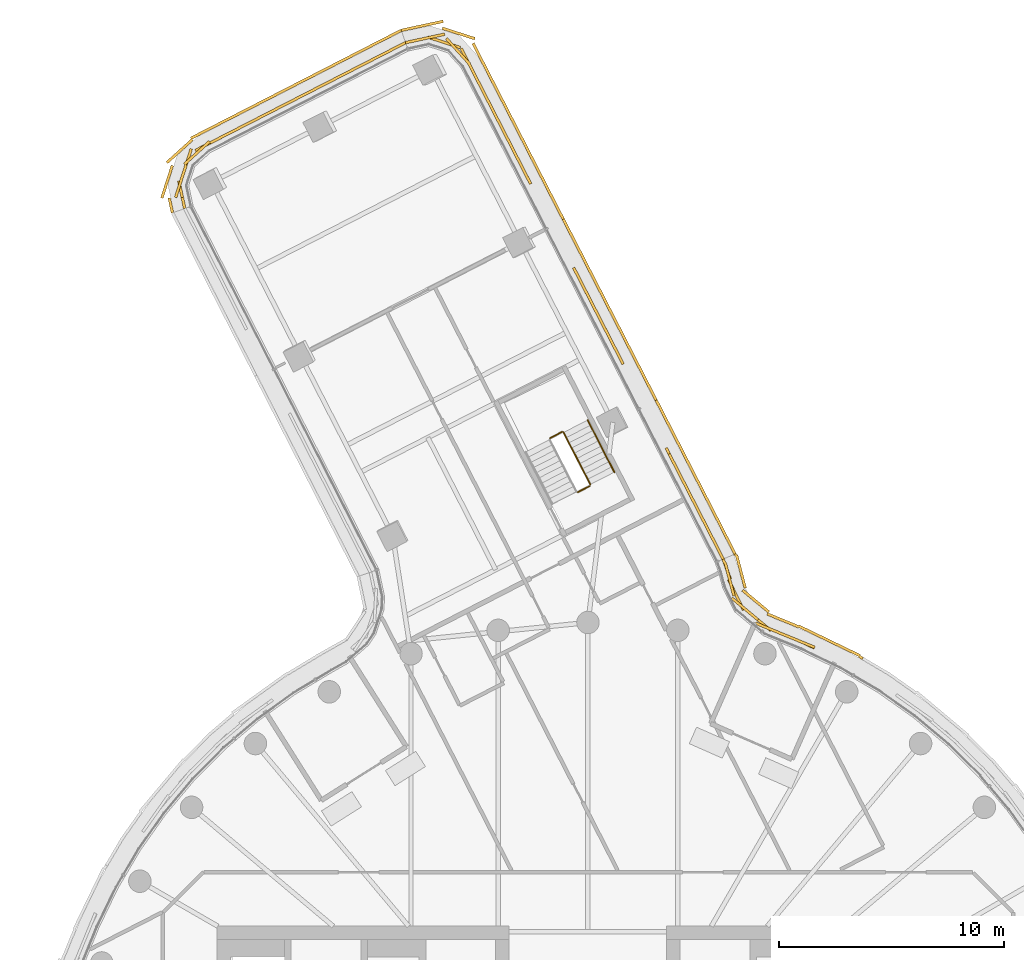
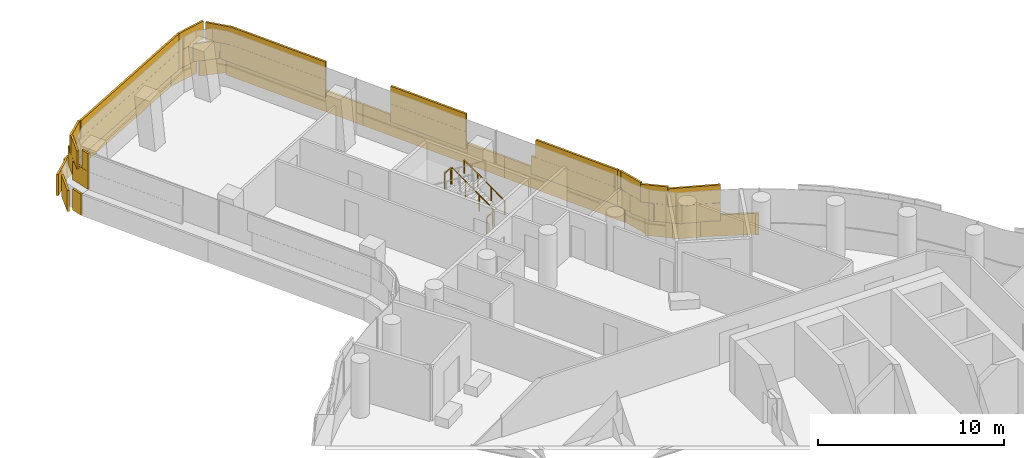
# One storey, part 35 of 37: 5 coverings, 4 railings.
"""IFC4 building model written with IfcOpenShell, lengths in metres."""

from ifc_helpers import new_model, si_unit, direction, frame, origin, origin_2d, place, context, subcontext, project, spatial, rectangle, circle, extrude, material, layer, layer_set, type_object, element, save


model = new_model("IFC4")

# Units and contexts
model_context = context("Model", 3, precision=1e-05, world=origin(), true_north=direction((0.0, 1.0)))
body_context = subcontext(model_context, "Body", "Model", "MODEL_VIEW")
ifc_project = project(units=[si_unit("LENGTHUNIT", "METRE"), si_unit("AREAUNIT", "SQUARE_METRE"), si_unit("VOLUMEUNIT", "CUBIC_METRE"), si_unit("PLANEANGLEUNIT", "RADIAN"), si_unit("MASSUNIT", "GRAM", prefix="KILO")], contexts=[model_context])

# Site, building, storey
site_placement = place(None, origin())
site = spatial("IfcSite", under=ifc_project, at=site_placement, CompositionType="ELEMENT")
building_placement = place(site_placement, origin())
building = spatial("IfcBuilding", under=site, at=building_placement, Name="Tamarind Cross Interchange Tower", CompositionType="ELEMENT")
storey_placement = place(building_placement, frame((0.0, 0.0, 133.0)))
storey = spatial("IfcBuildingStorey", under=building, at=storey_placement, Name="L32", CompositionType="ELEMENT", Elevation=133.0)

# Railings
ifc_material_1 = material(Name="Stair guard")
railing_type_1 = type_object("IfcRailingType", Name="Stair guard", PredefinedType="GUARDRAIL", material=ifc_material_1)
railing_1_placement = place(storey_placement, frame((0.104248046875, 29.134521484375, 0.17041015625)))
element("IfcRailing", 1, at=railing_1_placement, inside=storey, type_object=railing_type_1, Name="L32 ST4 stair guard 1", PredefinedType="GUARDRAIL", context=body_context, shape_type="SweptSolid", body=[
    extrude(circle(Radius=0.02392578125, at=origin_2d()), frame((0.0, 0.0, 1.076171875), z_axis=(-0.381802773427, 0.744052093423, 0.548281975333), x_axis=(-0.889702075766, -0.456541582309, 0.0)), (0.0, 0.0, 1.0), 3.10888671875),
    extrude(circle(Radius=0.02099609375, at=origin_2d()), origin(), (0.0, 0.0, 1.0), 1.052001953125),
    extrude(circle(Radius=0.02099609375, at=origin_2d()), frame((-0.395751953125, 0.77099609375, 0.568115234375)), (0.0, 0.0, 1.0), 1.052001953125),
    extrude(circle(Radius=0.02099609375, at=origin_2d()), frame((-0.791259765625, 1.542236328125, 1.136474609375)), (0.0, 0.0, 1.0), 1.052001953125),
    extrude(circle(Radius=0.02099609375, at=origin_2d()), frame((-1.18701171875, 2.313232421875, 1.70458984375)), (0.0, 0.0, 1.0), 1.052001953125),
])
for number, where, name in (
    (2, (-1.150146484375, 31.469482421875, 1.875), "L32 ST4 stair guard 2"),
    (3, (0.08251953125, 29.067138671875, 0.0), "L32 ST4 stair guard 4"),
):
    element("IfcRailing", number, at=place(storey_placement, frame(where)), inside=storey, type_object=railing_type_1, Name=name, PredefinedType="GUARDRAIL", context=body_context, shape_type="SweptSolid", body=[
        extrude(circle(Radius=0.02392578125, at=origin_2d()), frame((0.0, 0.0, 1.076171875), z_axis=(-0.889656395371, -0.456630592684, 0.0), x_axis=(0.456630592684, -0.889656395371, 0.0)), (0.0, 0.0, 1.0), 0.599853515625),
        extrude(circle(Radius=0.02099609375, at=origin_2d()), origin(), (0.0, 0.0, 1.0), 1.052001953125),
        extrude(circle(Radius=0.02099609375, at=origin_2d()), frame((-0.53369140625, -0.27392578125, 0.0)), (0.0, 0.0, 1.0), 1.052001953125),
    ])
ifc_material_2 = material(Name="Stair handrail")
railing_type_2 = type_object("IfcRailingType", Name="Stair handrail", PredefinedType="HANDRAIL", material=ifc_material_2)
railing_2_placement = place(storey_placement, frame((1.171875, 29.682373046875, 0.17041015625)))
element("IfcRailing", 4, at=railing_2_placement, inside=storey, type_object=railing_type_2, Name="L32 ST4 stair handrail 1", PredefinedType="HANDRAIL", context=body_context, shape_type="SweptSolid", body=[
    extrude(circle(Radius=0.02392578125, at=origin_2d()), frame((0.0, 0.0, 0.8759765625), z_axis=(-0.381802773427, 0.744052093423, 0.548281975333), x_axis=(-0.889702075766, -0.456541582309, 0.0)), (0.0, 0.0, 1.0), 3.10888671875),
    extrude(circle(Radius=0.02099609375, at=origin_2d()), origin(), (0.0, 0.0, 1.0), 0.851806640625),
    extrude(circle(Radius=0.02099609375, at=origin_2d()), frame((-0.395751953125, 0.77099609375, 0.568115234375)), (0.0, 0.0, 1.0), 0.851806640625),
    extrude(circle(Radius=0.02099609375, at=origin_2d()), frame((-0.791259765625, 1.542236328125, 1.136474609375)), (0.0, 0.0, 1.0), 0.851806640625),
    extrude(circle(Radius=0.02099609375, at=origin_2d()), frame((-1.18701171875, 2.313232421875, 1.70458984375)), (0.0, 0.0, 1.0), 0.851806640625),
])

# Coverings
ifc_material_3 = material(Name="Terracotta", Category="masonry")
ifc_layer = layer(ifc_material_3, 0.1201171875)
ifc_layer_set = layer_set([ifc_layer], Name="Terracotta")
covering_type = type_object("IfcCoveringType", Name="Terracotta baguette screen unit", PredefinedType="MOLDING", material=ifc_layer_set)
covering_1_placement = place(storey_placement, origin())
element("IfcCovering", 5, at=covering_1_placement, inside=storey, type_object=covering_type, Name="SCR-L32-10-01", PredefinedType="MOLDING", context=body_context, shape_type="SweptSolid", body=[
    extrude(rectangle(XDim=0.59130859375, YDim=0.1201171875, at=origin_2d()), frame((9.80126953125, 21.991943359375, 1.404052734375), z_axis=(0.0, 0.0, 1.0), x_axis=(-0.900272776334, 0.435326231914, 0.0)), (0.0, 0.0, 1.0), 1.1669921875),
    extrude(rectangle(XDim=1.52001953125, YDim=0.1201171875, at=origin_2d()), frame((8.844482421875, 22.40087890625, 1.404052734375), z_axis=(0.0, 0.0, 1.0), x_axis=(-0.92505344202, 0.379836977409, 0.0)), (0.0, 0.0, 1.0), 1.1669921875),
    extrude(rectangle(XDim=1.52001953125, YDim=0.1201171875, at=origin_2d()), frame((7.5498046875, 23.12451171875, 1.404052734375), z_axis=(0.0, 0.0, 1.0), x_axis=(-0.768852599928, 0.639426054821, 0.0)), (0.0, 0.0, 1.0), 1.1669921875),
    extrude(rectangle(XDim=1.52001953125, YDim=0.1201171875, at=origin_2d()), frame((6.579833984375, 24.228271484375, 1.404052734375), z_axis=(0.0, 0.0, 1.0), x_axis=(-0.442987520553, 0.896527777949, 0.0)), (0.0, 0.0, 1.0), 1.1669921875),
    extrude(rectangle(XDim=0.953857421875, YDim=0.1201171875, at=origin_2d()), frame((6.1689453125, 25.373046875, 1.404052734375), z_axis=(0.0, 0.0, 1.0), x_axis=(-0.336516796863, 0.941677463588, 0.0)), (0.0, 0.0, 1.0), 1.1669921875),
    extrude(rectangle(XDim=1.34130859375, YDim=0.1201171875, at=origin_2d()), frame((9.46044921875, 22.14794921875, 2.5791015625), z_axis=(0.0, 0.0, 1.0), x_axis=(-0.92505344202, 0.379836977409, 0.0)), (0.0, 0.0, 1.0), 1.1669921875),
    extrude(rectangle(XDim=1.52001953125, YDim=0.1201171875, at=origin_2d()), frame((8.15087890625, 22.685546875, 2.5791015625), z_axis=(0.0, 0.0, 1.0), x_axis=(-0.92505344202, 0.379836977409, 0.0)), (0.0, 0.0, 1.0), 1.1669921875),
    extrude(rectangle(XDim=1.52001953125, YDim=0.1201171875, at=origin_2d()), frame((6.97314453125, 23.604248046875, 2.5791015625), z_axis=(0.0, 0.0, 1.0), x_axis=(-0.768852599928, 0.639426054821, 0.0)), (0.0, 0.0, 1.0), 1.1669921875),
    extrude(rectangle(XDim=1.52001953125, YDim=0.1201171875, at=origin_2d()), frame((6.294189453125, 24.918212890625, 2.5791015625), z_axis=(0.0, 0.0, 1.0), x_axis=(-0.254848409458, 0.966981017495, 0.0)), (0.0, 0.0, 1.0), 1.1669921875),
    extrude(rectangle(XDim=0.203857421875, YDim=0.1201171875, at=origin_2d()), frame((6.042724609375, 25.72607421875, 2.5791015625), z_axis=(0.0, 0.0, 1.0), x_axis=(-0.336516796863, 0.941677463588, 0.0)), (0.0, 0.0, 1.0), 1.1669921875),
    extrude(rectangle(XDim=0.188720703125, YDim=0.1201171875, at=origin_2d()), frame((12.131591796875, 21.45068359375, 0.00390625), z_axis=(0.0, 0.0, 1.0), x_axis=(-0.861248933065, 0.508183308752, 0.0)), (0.0, 0.0, 1.0), 1.39208984375),
    extrude(rectangle(XDim=1.52001953125, YDim=0.1201171875, at=origin_2d()), frame((11.40234375, 21.855224609375, 0.00390625), z_axis=(0.0, 0.0, 1.0), x_axis=(-0.900272776334, 0.435326231914, 0.0)), (0.0, 0.0, 1.0), 1.39208984375),
    extrude(rectangle(XDim=1.52001953125, YDim=0.1201171875, at=origin_2d()), frame((10.052001953125, 22.50830078125, 0.00390625), z_axis=(0.0, 0.0, 1.0), x_axis=(-0.900272776334, 0.435326231914, 0.0)), (0.0, 0.0, 1.0), 1.39208984375),
    extrude(rectangle(XDim=1.52001953125, YDim=0.1201171875, at=origin_2d()), frame((8.6708984375, 23.092529296875, 0.00390625), z_axis=(0.0, 0.0, 1.0), x_axis=(-0.92505344202, 0.379836977409, 0.0)), (0.0, 0.0, 1.0), 1.39208984375),
    extrude(rectangle(XDim=1.52001953125, YDim=0.1201171875, at=origin_2d()), frame((7.4560546875, 23.94921875, 0.00390625), z_axis=(0.0, 0.0, 1.0), x_axis=(-0.768852599928, 0.639426054821, 0.0)), (0.0, 0.0, 1.0), 1.39208984375),
    extrude(rectangle(XDim=1.52001953125, YDim=0.1201171875, at=origin_2d()), frame((6.7958984375, 25.266357421875, 0.00390625), z_axis=(0.0, 0.0, 1.0), x_axis=(-0.254848409458, 0.966981017495, 0.0)), (0.0, 0.0, 1.0), 1.39208984375),
    extrude(rectangle(XDim=0.081787109375, YDim=0.1201171875, at=origin_2d()), frame((6.5517578125, 26.007568359375, 0.00390625), z_axis=(0.0, 0.0, 1.0), x_axis=(-0.336516796863, 0.941677463588, 0.0)), (0.0, 0.0, 1.0), 1.39208984375),
])
covering_2_placement = place(storey_placement, origin())
element("IfcCovering", 6, at=covering_2_placement, inside=storey, type_object=covering_type, Name="SCR-L32-11-00", PredefinedType="MOLDING", context=body_context, shape_type="SweptSolid", body=[
    extrude(rectangle(XDim=1.510009765625, YDim=0.1201171875, at=origin_2d()), frame((5.667724609375, 26.484619140625, 1.404052734375), z_axis=(0.0, 0.0, 1.0), x_axis=(-0.456551422638, 0.889697026233, 0.0)), (0.0, 0.0, 1.0), 1.1669921875),
    extrude(rectangle(XDim=1.52001953125, YDim=0.1201171875, at=origin_2d()), frame((4.98291015625, 27.819091796875, 1.404052734375), z_axis=(0.0, 0.0, 1.0), x_axis=(-0.456551422638, 0.889697026233, 0.0)), (0.0, 0.0, 1.0), 1.1669921875),
    extrude(rectangle(XDim=1.52001953125, YDim=0.1201171875, at=origin_2d()), frame((4.298095703125, 29.15380859375, 1.404052734375), z_axis=(0.0, 0.0, 1.0), x_axis=(-0.456551422638, 0.889697026233, 0.0)), (0.0, 0.0, 1.0), 1.1669921875),
    extrude(rectangle(XDim=1.05712890625, YDim=0.1201171875, at=origin_2d()), frame((3.716552734375, 30.286865234375, 1.404052734375), z_axis=(0.0, 0.0, 1.0), x_axis=(-0.456551422638, 0.889697026233, 0.0)), (0.0, 0.0, 1.0), 1.1669921875),
    extrude(rectangle(XDim=0.760009765625, YDim=0.1201171875, at=origin_2d()), frame((5.8388671875, 26.15087890625, 2.5791015625), z_axis=(0.0, 0.0, 1.0), x_axis=(-0.456551422638, 0.889697026233, 0.0)), (0.0, 0.0, 1.0), 1.1669921875),
    extrude(rectangle(XDim=1.52001953125, YDim=0.1201171875, at=origin_2d()), frame((5.3251953125, 27.15185546875, 2.5791015625), z_axis=(0.0, 0.0, 1.0), x_axis=(-0.456551422638, 0.889697026233, 0.0)), (0.0, 0.0, 1.0), 1.1669921875),
    extrude(rectangle(XDim=1.52001953125, YDim=0.1201171875, at=origin_2d()), frame((4.640380859375, 28.486328125, 2.5791015625), z_axis=(0.0, 0.0, 1.0), x_axis=(-0.456551422638, 0.889697026233, 0.0)), (0.0, 0.0, 1.0), 1.1669921875),
    extrude(rectangle(XDim=1.52001953125, YDim=0.1201171875, at=origin_2d()), frame((3.95556640625, 29.821044921875, 2.5791015625), z_axis=(0.0, 0.0, 1.0), x_axis=(-0.456551422638, 0.889697026233, 0.0)), (0.0, 0.0, 1.0), 1.1669921875),
    extrude(rectangle(XDim=1.510009765625, YDim=0.1201171875, at=origin_2d()), frame((6.193359375, 26.7177734375, 0.00390625), z_axis=(0.0, 0.0, 1.0), x_axis=(-0.456551422638, 0.889697026233, 0.0)), (0.0, 0.0, 1.0), 1.39208984375),
    extrude(rectangle(XDim=1.52001953125, YDim=0.1201171875, at=origin_2d()), frame((5.5107421875, 28.0478515625, 0.00390625), z_axis=(0.0, 0.0, 1.0), x_axis=(-0.456551422638, 0.889697026233, 0.0)), (0.0, 0.0, 1.0), 1.39208984375),
    extrude(rectangle(XDim=1.52001953125, YDim=0.1201171875, at=origin_2d()), frame((4.825927734375, 29.38232421875, 0.00390625), z_axis=(0.0, 0.0, 1.0), x_axis=(-0.456551422638, 0.889697026233, 0.0)), (0.0, 0.0, 1.0), 1.39208984375),
    extrude(rectangle(XDim=1.52001953125, YDim=0.1201171875, at=origin_2d()), frame((4.14111328125, 30.716796875, 0.00390625), z_axis=(0.0, 0.0, 1.0), x_axis=(-0.456551422638, 0.889697026233, 0.0)), (0.0, 0.0, 1.0), 1.39208984375),
    extrude(rectangle(XDim=1.52001953125, YDim=0.1201171875, at=origin_2d()), frame((3.456298828125, 32.051513671875, 0.00390625), z_axis=(0.0, 0.0, 1.0), x_axis=(-0.456551422638, 0.889697026233, 0.0)), (0.0, 0.0, 1.0), 1.39208984375),
    extrude(rectangle(XDim=0.192138671875, YDim=0.1201171875, at=origin_2d()), frame((3.074462890625, 32.795166015625, 0.00390625), z_axis=(0.0, 0.0, 1.0), x_axis=(-0.456551422638, 0.889697026233, 0.0)), (0.0, 0.0, 1.0), 1.39208984375),
])
covering_3_placement = place(storey_placement, origin())
element("IfcCovering", 7, at=covering_3_placement, inside=storey, type_object=covering_type, Name="SCR-L32-11-01", PredefinedType="MOLDING", context=body_context, shape_type="SweptSolid", body=[
    extrude(rectangle(XDim=0.762939453125, YDim=0.1201171875, at=origin_2d()), frame((1.38818359375, 34.82421875, 1.404052734375), z_axis=(0.0, 0.0, 1.0), x_axis=(-0.456551422638, 0.889697026233, 0.0)), (0.0, 0.0, 1.0), 1.1669921875),
    extrude(rectangle(XDim=1.52001953125, YDim=0.1201171875, at=origin_2d()), frame((0.8740234375, 35.826416015625, 1.404052734375), z_axis=(0.0, 0.0, 1.0), x_axis=(-0.456551422638, 0.889697026233, 0.0)), (0.0, 0.0, 1.0), 1.1669921875),
    extrude(rectangle(XDim=1.52001953125, YDim=0.1201171875, at=origin_2d()), frame((0.18896484375, 37.160888671875, 1.404052734375), z_axis=(0.0, 0.0, 1.0), x_axis=(-0.456551422638, 0.889697026233, 0.0)), (0.0, 0.0, 1.0), 1.1669921875),
    extrude(rectangle(XDim=1.063720703125, YDim=0.1201171875, at=origin_2d()), frame((-0.393798828125, 38.296875, 1.404052734375), z_axis=(0.0, 0.0, 1.0), x_axis=(-0.456551422638, 0.889697026233, 0.0)), (0.0, 0.0, 1.0), 1.1669921875),
    extrude(rectangle(XDim=1.52001953125, YDim=0.1201171875, at=origin_2d()), frame((1.21630859375, 35.1591796875, 2.5791015625), z_axis=(0.0, 0.0, 1.0), x_axis=(-0.456551422638, 0.889697026233, 0.0)), (0.0, 0.0, 1.0), 1.1669921875),
    extrude(rectangle(XDim=1.52001953125, YDim=0.1201171875, at=origin_2d()), frame((0.531494140625, 36.49365234375, 2.5791015625), z_axis=(0.0, 0.0, 1.0), x_axis=(-0.456551422638, 0.889697026233, 0.0)), (0.0, 0.0, 1.0), 1.1669921875),
    extrude(rectangle(XDim=1.52001953125, YDim=0.1201171875, at=origin_2d()), frame((-0.1533203125, 37.828369140625, 2.5791015625), z_axis=(0.0, 0.0, 1.0), x_axis=(-0.456551422638, 0.889697026233, 0.0)), (0.0, 0.0, 1.0), 1.1669921875),
    extrude(rectangle(XDim=0.313720703125, YDim=0.1201171875, at=origin_2d()), frame((-0.56494140625, 38.630615234375, 2.5791015625), z_axis=(0.0, 0.0, 1.0), x_axis=(-0.456551422638, 0.889697026233, 0.0)), (0.0, 0.0, 1.0), 1.1669921875),
    extrude(rectangle(XDim=1.327880859375, YDim=0.1201171875, at=origin_2d()), frame((2.7275390625, 33.471435546875, 0.00390625), z_axis=(0.0, 0.0, 1.0), x_axis=(-0.456551422638, 0.889697026233, 0.0)), (0.0, 0.0, 1.0), 1.39208984375),
    extrude(rectangle(XDim=1.52001953125, YDim=0.1201171875, at=origin_2d()), frame((2.086669921875, 34.720458984375, 0.00390625), z_axis=(0.0, 0.0, 1.0), x_axis=(-0.456551422638, 0.889697026233, 0.0)), (0.0, 0.0, 1.0), 1.39208984375),
    extrude(rectangle(XDim=1.52001953125, YDim=0.1201171875, at=origin_2d()), frame((1.40185546875, 36.054931640625, 0.00390625), z_axis=(0.0, 0.0, 1.0), x_axis=(-0.456551422638, 0.889697026233, 0.0)), (0.0, 0.0, 1.0), 1.39208984375),
    extrude(rectangle(XDim=1.52001953125, YDim=0.1201171875, at=origin_2d()), frame((0.717041015625, 37.3896484375, 0.00390625), z_axis=(0.0, 0.0, 1.0), x_axis=(-0.456551422638, 0.889697026233, 0.0)), (0.0, 0.0, 1.0), 1.39208984375),
    extrude(rectangle(XDim=1.52001953125, YDim=0.1201171875, at=origin_2d()), frame((0.0322265625, 38.72412109375, 0.00390625), z_axis=(0.0, 0.0, 1.0), x_axis=(-0.456551422638, 0.889697026233, 0.0)), (0.0, 0.0, 1.0), 1.39208984375),
    extrude(rectangle(XDim=1.52001953125, YDim=0.1201171875, at=origin_2d()), frame((-0.652587890625, 40.05859375, 0.00390625), z_axis=(0.0, 0.0, 1.0), x_axis=(-0.456551422638, 0.889697026233, 0.0)), (0.0, 0.0, 1.0), 1.39208984375),
    extrude(rectangle(XDim=0.23974609375, YDim=0.1201171875, at=origin_2d()), frame((-1.045166015625, 40.82373046875, 0.00390625), z_axis=(0.0, 0.0, 1.0), x_axis=(-0.456551422638, 0.889697026233, 0.0)), (0.0, 0.0, 1.0), 1.39208984375),
])
covering_4_placement = place(storey_placement, origin())
element("IfcCovering", 8, at=covering_4_placement, inside=storey, type_object=covering_type, Name="SCR-L32-11-02", PredefinedType="MOLDING", context=body_context, shape_type="SweptSolid", body=[
    extrude(rectangle(XDim=0.75634765625, YDim=0.1201171875, at=origin_2d()), frame((-2.72216796875, 42.83447265625, 1.404052734375), z_axis=(0.0, 0.0, 1.0), x_axis=(-0.456551422638, 0.889697026233, 0.0)), (0.0, 0.0, 1.0), 1.1669921875),
    extrude(rectangle(XDim=1.52001953125, YDim=0.1201171875, at=origin_2d()), frame((-3.235107421875, 43.833740234375, 1.404052734375), z_axis=(0.0, 0.0, 1.0), x_axis=(-0.456551422638, 0.889697026233, 0.0)), (0.0, 0.0, 1.0), 1.1669921875),
    extrude(rectangle(XDim=1.52001953125, YDim=0.1201171875, at=origin_2d()), frame((-3.919921875, 45.168212890625, 1.404052734375), z_axis=(0.0, 0.0, 1.0), x_axis=(-0.456551422638, 0.889697026233, 0.0)), (0.0, 0.0, 1.0), 1.1669921875),
    extrude(rectangle(XDim=1.52001953125, YDim=0.1201171875, at=origin_2d()), frame((-4.604736328125, 46.5029296875, 1.404052734375), z_axis=(0.0, 0.0, 1.0), x_axis=(-0.456551422638, 0.889697026233, 0.0)), (0.0, 0.0, 1.0), 1.1669921875),
    extrude(rectangle(XDim=1.52001953125, YDim=0.1201171875, at=origin_2d()), frame((-5.28955078125, 47.83740234375, 1.404052734375), z_axis=(0.0, 0.0, 1.0), x_axis=(-0.456551422638, 0.889697026233, 0.0)), (0.0, 0.0, 1.0), 1.1669921875),
    extrude(rectangle(XDim=1.52001953125, YDim=0.1201171875, at=origin_2d()), frame((-6.396240234375, 48.786865234375, 1.404052734375), z_axis=(0.0, 0.0, 1.0), x_axis=(-0.951941407358, 0.306280193543, 0.0)), (0.0, 0.0, 1.0), 1.1669921875),
    extrude(rectangle(XDim=1.02734375, YDim=0.1201171875, at=origin_2d()), frame((-7.60888671875, 48.881591796875, 1.404052734375), z_axis=(0.0, 0.0, 1.0), x_axis=(-0.977545538458, -0.210724275394, 0.0)), (0.0, 0.0, 1.0), 1.1669921875),
    extrude(rectangle(XDim=1.50634765625, YDim=0.1201171875, at=origin_2d()), frame((-2.8935546875, 43.16796875, 2.5791015625), z_axis=(0.0, 0.0, 1.0), x_axis=(-0.456551422638, 0.889697026233, 0.0)), (0.0, 0.0, 1.0), 1.1669921875),
    extrude(rectangle(XDim=1.52001953125, YDim=0.1201171875, at=origin_2d()), frame((-3.577392578125, 44.5009765625, 2.5791015625), z_axis=(0.0, 0.0, 1.0), x_axis=(-0.456551422638, 0.889697026233, 0.0)), (0.0, 0.0, 1.0), 1.1669921875),
    extrude(rectangle(XDim=1.52001953125, YDim=0.1201171875, at=origin_2d()), frame((-4.26220703125, 45.83544921875, 2.5791015625), z_axis=(0.0, 0.0, 1.0), x_axis=(-0.456551422638, 0.889697026233, 0.0)), (0.0, 0.0, 1.0), 1.1669921875),
    extrude(rectangle(XDim=1.52001953125, YDim=0.1201171875, at=origin_2d()), frame((-4.947021484375, 47.170166015625, 2.5791015625), z_axis=(0.0, 0.0, 1.0), x_axis=(-0.456551422638, 0.889697026233, 0.0)), (0.0, 0.0, 1.0), 1.1669921875),
    extrude(rectangle(XDim=1.52001953125, YDim=0.1201171875, at=origin_2d()), frame((-5.7841796875, 48.3994140625, 2.5791015625), z_axis=(0.0, 0.0, 1.0), x_axis=(-0.671265344915, 0.741217131964, 0.0)), (0.0, 0.0, 1.0), 1.1669921875),
    extrude(rectangle(XDim=1.52001953125, YDim=0.1201171875, at=origin_2d()), frame((-7.111572265625, 48.98876953125, 2.5791015625), z_axis=(0.0, 0.0, 1.0), x_axis=(-0.977545538458, -0.210724275394, 0.0)), (0.0, 0.0, 1.0), 1.1669921875),
    extrude(rectangle(XDim=0.27734375, YDim=0.1201171875, at=origin_2d()), frame((-7.975341796875, 48.802490234375, 2.5791015625), z_axis=(0.0, 0.0, 1.0), x_axis=(-0.977545538458, -0.210724275394, 0.0)), (0.0, 0.0, 1.0), 1.1669921875),
    extrude(rectangle(XDim=1.2802734375, YDim=0.1201171875, at=origin_2d()), frame((-1.392333984375, 41.499755859375, 0.00390625), z_axis=(0.0, 0.0, 1.0), x_axis=(-0.456551422638, 0.889697026233, 0.0)), (0.0, 0.0, 1.0), 1.39208984375),
    extrude(rectangle(XDim=1.52001953125, YDim=0.1201171875, at=origin_2d()), frame((-2.0224609375, 42.727783203125, 0.00390625), z_axis=(0.0, 0.0, 1.0), x_axis=(-0.456551422638, 0.889697026233, 0.0)), (0.0, 0.0, 1.0), 1.39208984375),
    extrude(rectangle(XDim=1.52001953125, YDim=0.1201171875, at=origin_2d()), frame((-2.707275390625, 44.062255859375, 0.00390625), z_axis=(0.0, 0.0, 1.0), x_axis=(-0.456551422638, 0.889697026233, 0.0)), (0.0, 0.0, 1.0), 1.39208984375),
    extrude(rectangle(XDim=1.52001953125, YDim=0.1201171875, at=origin_2d()), frame((-3.39208984375, 45.39697265625, 0.00390625), z_axis=(0.0, 0.0, 1.0), x_axis=(-0.456551422638, 0.889697026233, 0.0)), (0.0, 0.0, 1.0), 1.39208984375),
    extrude(rectangle(XDim=1.52001953125, YDim=0.1201171875, at=origin_2d()), frame((-4.076904296875, 46.7314453125, 0.00390625), z_axis=(0.0, 0.0, 1.0), x_axis=(-0.456551422638, 0.889697026233, 0.0)), (0.0, 0.0, 1.0), 1.39208984375),
    extrude(rectangle(XDim=1.52001953125, YDim=0.1201171875, at=origin_2d()), frame((-4.76171875, 48.06591796875, 0.00390625), z_axis=(0.0, 0.0, 1.0), x_axis=(-0.456551422638, 0.889697026233, 0.0)), (0.0, 0.0, 1.0), 1.39208984375),
    extrude(rectangle(XDim=1.52001953125, YDim=0.1201171875, at=origin_2d()), frame((-5.748046875, 49.18115234375, 0.00390625), z_axis=(0.0, 0.0, 1.0), x_axis=(-0.951941407358, 0.306280193543, 0.0)), (0.0, 0.0, 1.0), 1.39208984375),
    extrude(rectangle(XDim=1.52001953125, YDim=0.1201171875, at=origin_2d()), frame((-7.1796875, 49.561279296875, 0.00390625), z_axis=(0.0, 0.0, 1.0), x_axis=(-0.977545538458, -0.210724275394, 0.0)), (0.0, 0.0, 1.0), 1.39208984375),
    extrude(rectangle(XDim=0.406982421875, YDim=0.1201171875, at=origin_2d()), frame((-8.10205078125, 49.362548828125, 0.00390625), z_axis=(0.0, 0.0, 1.0), x_axis=(-0.977545538458, -0.210724275394, 0.0)), (0.0, 0.0, 1.0), 1.39208984375),
])
covering_5_placement = place(storey_placement, origin())
element("IfcCovering", 9, at=covering_5_placement, inside=storey, type_object=covering_type, Name="SCR-L32-12-00", PredefinedType="MOLDING", context=body_context, shape_type="SweptSolid", body=[
    extrude(rectangle(XDim=1.510009765625, YDim=0.1201171875, at=origin_2d()), frame((-8.7734375, 48.431884765625, 1.404052734375), z_axis=(0.0, 0.0, 1.0), x_axis=(-0.889697026233, -0.456551422638, 0.0)), (0.0, 0.0, 1.0), 1.1669921875),
    extrude(rectangle(XDim=1.52001953125, YDim=0.1201171875, at=origin_2d()), frame((-10.10791015625, 47.7470703125, 1.404052734375), z_axis=(0.0, 0.0, 1.0), x_axis=(-0.889697026233, -0.456551422638, 0.0)), (0.0, 0.0, 1.0), 1.1669921875),
    extrude(rectangle(XDim=1.52001953125, YDim=0.1201171875, at=origin_2d()), frame((-11.442626953125, 47.062255859375, 1.404052734375), z_axis=(0.0, 0.0, 1.0), x_axis=(-0.889697026233, -0.456551422638, 0.0)), (0.0, 0.0, 1.0), 1.1669921875),
    extrude(rectangle(XDim=1.52001953125, YDim=0.1201171875, at=origin_2d()), frame((-12.777099609375, 46.37744140625, 1.404052734375), z_axis=(0.0, 0.0, 1.0), x_axis=(-0.889697026233, -0.456551422638, 0.0)), (0.0, 0.0, 1.0), 1.1669921875),
    extrude(rectangle(XDim=1.52001953125, YDim=0.1201171875, at=origin_2d()), frame((-14.111572265625, 45.692626953125, 1.404052734375), z_axis=(0.0, 0.0, 1.0), x_axis=(-0.889697026233, -0.456551422638, 0.0)), (0.0, 0.0, 1.0), 1.1669921875),
    extrude(rectangle(XDim=1.52001953125, YDim=0.1201171875, at=origin_2d()), frame((-15.446044921875, 45.0078125, 1.404052734375), z_axis=(0.0, 0.0, 1.0), x_axis=(-0.889697026233, -0.456551422638, 0.0)), (0.0, 0.0, 1.0), 1.1669921875),
    extrude(rectangle(XDim=1.52001953125, YDim=0.1201171875, at=origin_2d()), frame((-16.78076171875, 44.322998046875, 1.404052734375), z_axis=(0.0, 0.0, 1.0), x_axis=(-0.889697026233, -0.456551422638, 0.0)), (0.0, 0.0, 1.0), 1.1669921875),
    extrude(rectangle(XDim=1.52001953125, YDim=0.1201171875, at=origin_2d()), frame((-17.86572265625, 43.331298828125, 1.404052734375), z_axis=(0.0, 0.0, 1.0), x_axis=(-0.306280193543, -0.951941407358, 0.0)), (0.0, 0.0, 1.0), 1.1669921875),
    extrude(rectangle(XDim=1.259521484375, YDim=0.1201171875, at=origin_2d()), frame((-18.05615234375, 42.01123046875, 1.404052734375), z_axis=(0.0, 0.0, 1.0), x_axis=(0.210724275394, -0.977545538458, 0.0)), (0.0, 0.0, 1.0), 1.1669921875),
    extrude(rectangle(XDim=0.760009765625, YDim=0.1201171875, at=origin_2d()), frame((-8.439697265625, 48.603271484375, 2.5791015625), z_axis=(0.0, 0.0, 1.0), x_axis=(-0.889697026233, -0.456551422638, 0.0)), (0.0, 0.0, 1.0), 1.1669921875),
    extrude(rectangle(XDim=1.52001953125, YDim=0.1201171875, at=origin_2d()), frame((-9.440673828125, 48.089599609375, 2.5791015625), z_axis=(0.0, 0.0, 1.0), x_axis=(-0.889697026233, -0.456551422638, 0.0)), (0.0, 0.0, 1.0), 1.1669921875),
    extrude(rectangle(XDim=1.52001953125, YDim=0.1201171875, at=origin_2d()), frame((-10.775146484375, 47.40478515625, 2.5791015625), z_axis=(0.0, 0.0, 1.0), x_axis=(-0.889697026233, -0.456551422638, 0.0)), (0.0, 0.0, 1.0), 1.1669921875),
    extrude(rectangle(XDim=1.52001953125, YDim=0.1201171875, at=origin_2d()), frame((-12.10986328125, 46.719970703125, 2.5791015625), z_axis=(0.0, 0.0, 1.0), x_axis=(-0.889697026233, -0.456551422638, 0.0)), (0.0, 0.0, 1.0), 1.1669921875),
    extrude(rectangle(XDim=1.52001953125, YDim=0.1201171875, at=origin_2d()), frame((-13.4443359375, 46.03515625, 2.5791015625), z_axis=(0.0, 0.0, 1.0), x_axis=(-0.889697026233, -0.456551422638, 0.0)), (0.0, 0.0, 1.0), 1.1669921875),
    extrude(rectangle(XDim=1.52001953125, YDim=0.1201171875, at=origin_2d()), frame((-14.77880859375, 45.350341796875, 2.5791015625), z_axis=(0.0, 0.0, 1.0), x_axis=(-0.889697026233, -0.456551422638, 0.0)), (0.0, 0.0, 1.0), 1.1669921875),
    extrude(rectangle(XDim=1.52001953125, YDim=0.1201171875, at=origin_2d()), frame((-16.113525390625, 44.66552734375, 2.5791015625), z_axis=(0.0, 0.0, 1.0), x_axis=(-0.889697026233, -0.456551422638, 0.0)), (0.0, 0.0, 1.0), 1.1669921875),
    extrude(rectangle(XDim=1.52001953125, YDim=0.1201171875, at=origin_2d()), frame((-17.377197265625, 43.87841796875, 2.5791015625), z_axis=(0.0, 0.0, 1.0), x_axis=(-0.741217131964, -0.671265344915, 0.0)), (0.0, 0.0, 1.0), 1.1669921875),
    extrude(rectangle(XDim=1.52001953125, YDim=0.1201171875, at=origin_2d()), frame((-18.095458984375, 42.617431640625, 2.5791015625), z_axis=(0.0, 0.0, 1.0), x_axis=(-0.306280193543, -0.951941407358, 0.0)), (0.0, 0.0, 1.0), 1.1669921875),
    extrude(rectangle(XDim=0.509521484375, YDim=0.1201171875, at=origin_2d()), frame((-17.97705078125, 41.64453125, 2.5791015625), z_axis=(0.0, 0.0, 1.0), x_axis=(0.210724275394, -0.977545538458, 0.0)), (0.0, 0.0, 1.0), 1.1669921875),
    extrude(rectangle(XDim=1.510009765625, YDim=0.1201171875, at=origin_2d()), frame((-8.97265625, 48.974853515625, 0.00390625), z_axis=(0.0, 0.0, 1.0), x_axis=(-0.889697026233, -0.456551422638, 0.0)), (0.0, 0.0, 1.0), 1.39208984375),
    extrude(rectangle(XDim=1.52001953125, YDim=0.1201171875, at=origin_2d()), frame((-10.302734375, 48.292236328125, 0.00390625), z_axis=(0.0, 0.0, 1.0), x_axis=(-0.889697026233, -0.456551422638, 0.0)), (0.0, 0.0, 1.0), 1.39208984375),
    extrude(rectangle(XDim=1.52001953125, YDim=0.1201171875, at=origin_2d()), frame((-11.637451171875, 47.607421875, 0.00390625), z_axis=(0.0, 0.0, 1.0), x_axis=(-0.889697026233, -0.456551422638, 0.0)), (0.0, 0.0, 1.0), 1.39208984375),
    extrude(rectangle(XDim=1.52001953125, YDim=0.1201171875, at=origin_2d()), frame((-12.971923828125, 46.922607421875, 0.00390625), z_axis=(0.0, 0.0, 1.0), x_axis=(-0.889697026233, -0.456551422638, 0.0)), (0.0, 0.0, 1.0), 1.39208984375),
    extrude(rectangle(XDim=1.52001953125, YDim=0.1201171875, at=origin_2d()), frame((-14.306396484375, 46.23779296875, 0.00390625), z_axis=(0.0, 0.0, 1.0), x_axis=(-0.889697026233, -0.456551422638, 0.0)), (0.0, 0.0, 1.0), 1.39208984375),
    extrude(rectangle(XDim=1.52001953125, YDim=0.1201171875, at=origin_2d()), frame((-15.640869140625, 45.552978515625, 0.00390625), z_axis=(0.0, 0.0, 1.0), x_axis=(-0.889697026233, -0.456551422638, 0.0)), (0.0, 0.0, 1.0), 1.39208984375),
    extrude(rectangle(XDim=1.52001953125, YDim=0.1201171875, at=origin_2d()), frame((-16.9755859375, 44.8681640625, 0.00390625), z_axis=(0.0, 0.0, 1.0), x_axis=(-0.889697026233, -0.456551422638, 0.0)), (0.0, 0.0, 1.0), 1.39208984375),
    extrude(rectangle(XDim=1.52001953125, YDim=0.1201171875, at=origin_2d()), frame((-18.150390625, 43.952392578125, 0.00390625), z_axis=(0.0, 0.0, 1.0), x_axis=(-0.741217131964, -0.671265344915, 0.0)), (0.0, 0.0, 1.0), 1.39208984375),
    extrude(rectangle(XDim=1.52001953125, YDim=0.1201171875, at=origin_2d()), frame((-18.7080078125, 42.587890625, 0.00390625), z_axis=(0.0, 0.0, 1.0), x_axis=(-0.306280193543, -0.951941407358, 0.0)), (0.0, 0.0, 1.0), 1.39208984375),
    extrude(rectangle(XDim=0.676513671875, YDim=0.1201171875, at=origin_2d()), frame((-18.541015625, 41.536865234375, 0.00390625), z_axis=(0.0, 0.0, 1.0), x_axis=(0.210724275394, -0.977545538458, 0.0)), (0.0, 0.0, 1.0), 1.39208984375),
])

save(model, "model.ifc")
